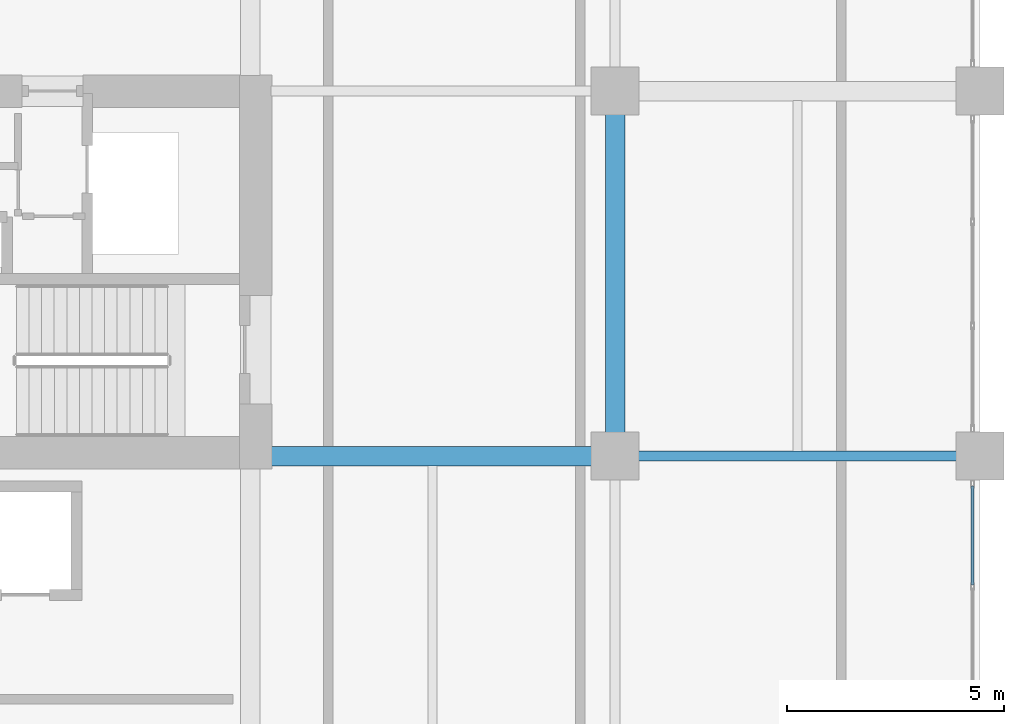
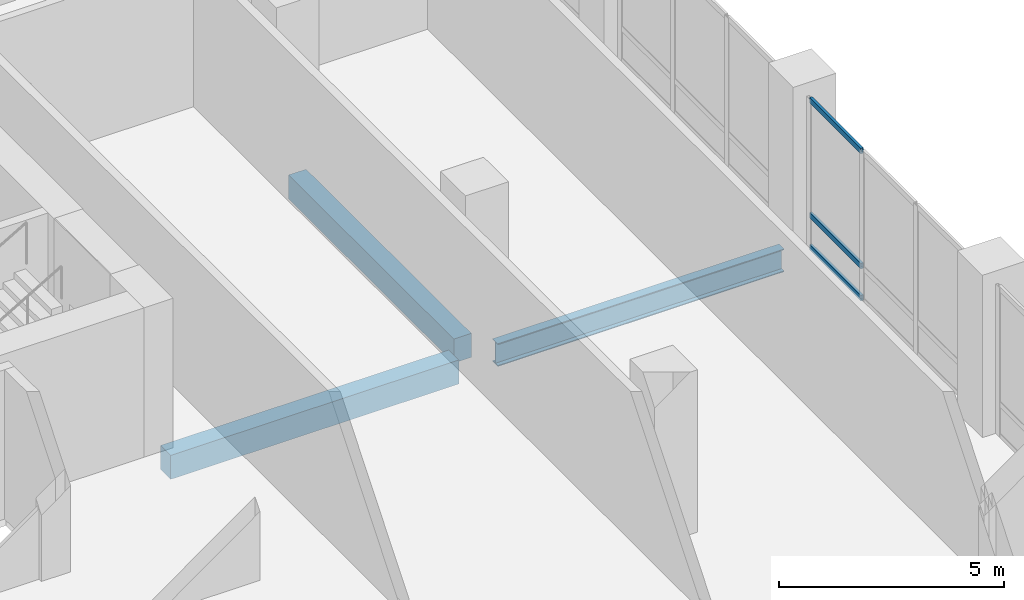
# One storey, part 5 of 25: 3 beams, 3 members, 1 element without a shape of its own.
"""IFC4 building model written with IfcOpenShell, lengths in metres."""

from ifc_helpers import new_model, si_unit, direction, frame, origin, origin_2d, place, context, subcontext, project, spatial, rectangle, hollow_rectangle, i_section, extrude, material, layer, layer_set, material_profile, profile_set, type_object, element, aggregate, save


model = new_model("IFC4")

# Units and contexts
model_context = context("Model", 3, precision=1e-05, world=origin(), true_north=direction((0.0, 1.0)))
body_context = subcontext(model_context, "Body", "Model", "MODEL_VIEW")
ifc_project = project(units=[si_unit("LENGTHUNIT", "METRE"), si_unit("AREAUNIT", "SQUARE_METRE"), si_unit("VOLUMEUNIT", "CUBIC_METRE"), si_unit("PLANEANGLEUNIT", "RADIAN"), si_unit("MASSUNIT", "GRAM", prefix="KILO")], contexts=[model_context])

# Site, building, storey
site_placement = place(None, origin())
site = spatial("IfcSite", under=ifc_project, at=site_placement, CompositionType="ELEMENT")
building_placement = place(site_placement, origin())
building = spatial("IfcBuilding", under=site, at=building_placement, Name="Koriwani Terraces Tower", CompositionType="ELEMENT")
storey_placement = place(building_placement, frame((0.0, 0.0, 157.60009765625)))
storey = spatial("IfcBuildingStorey", under=building, at=storey_placement, Name="L38", CompositionType="ELEMENT", Elevation=157.60009765625)

# Beams
ifc_material_1 = material(Name="Concrete C50/60", Category="concrete")
ifc_material_profile_1 = material_profile(ifc_material_1, rectangle(XDim=0.449951171875, YDim=0.64990234375, at=origin_2d()), Name="Concrete C50/60", Category="LoadBearing")
ifc_profile_set_1 = profile_set([ifc_material_profile_1], Name="Concrete C50/60")
beam_type_1 = type_object("IfcBeamType", Name="BEAM_RC_GRID_450X650", PredefinedType="BEAM", material=ifc_profile_set_1)
beam_1_placement = place(storey_placement, frame((59.280029296875, 16.800048828125, -0.5751953125), z_axis=(1.0, 0.0, 0.0), x_axis=(0.0, 1.0, 0.0)))
element("IfcBeam", 1, at=beam_1_placement, inside=storey, type_object=beam_type_1, Name="L38 Grid Beam C (58.8-67.2m)", PredefinedType="BEAM", context=body_context, shape_type="SweptSolid", body=[
    extrude(rectangle(XDim=0.449951171875, YDim=0.64990234375, at=origin_2d()), origin(), (0.0, 0.0, 1.0), 7.389892578125),
])
beam_2_placement = place(storey_placement, frame((67.199951171875, 17.330078125, -0.5751953125), z_axis=(0.0, 1.0, 0.0), x_axis=(-1.0, 0.0, 0.0)))
element("IfcBeam", 2, at=beam_2_placement, inside=storey, type_object=beam_type_1, Name="L38 Grid Beam 9 (16.8-25.2m)", PredefinedType="BEAM", context=body_context, shape_type="SweptSolid", body=[
    extrude(rectangle(XDim=0.449951171875, YDim=0.64990234375, at=origin_2d()), origin(), (0.0, 0.0, 1.0), 7.33984375),
])

# Curtain wall, members
ifc_material_2 = material(Name="Anodised Bronze Aluminium", Category="aluminium")
ifc_layer = layer(ifc_material_2, 0.169921875, Name="Anodised Bronze Aluminium")
ifc_layer_set = layer_set([ifc_layer], Name="Anodised Bronze Aluminium")
curtain_wall_type = type_object("IfcCurtainWallType", Name="CW_RES_ZONE3", PredefinedType="NOTDEFINED", material=ifc_layer_set)
curtain_wall_placement = place(storey_placement, origin())
curtain_wall = element("IfcCurtainWall", 3, at=curtain_wall_placement, inside=storey, type_object=curtain_wall_type, Name="L38 Unitised Curtain Wall (E_TIP) Bay 3", PredefinedType="NOTDEFINED")
ifc_material_profile_2 = material_profile(ifc_material_2, hollow_rectangle(XDim=0.06494140625, YDim=0.14990234375, WallThickness=0.0048828125, at=origin_2d()), Name="Anodised Bronze Aluminium", Category="LoadBearing")
ifc_profile_set_2 = profile_set([ifc_material_profile_2], Name="Anodised Bronze Aluminium")
member_type = type_object("IfcMemberType", Name="CW_TRANSOM_150X65", PredefinedType="USERDEFINED", material=ifc_profile_set_2)
member_1_placement = place(storey_placement, frame((75.425048828125, 16.114990234375, 0.032470703125), z_axis=(0.0, -1.0, 0.0), x_axis=(1.0, 0.0, 0.0)))
member_1 = element("IfcMember", 4, at=member_1_placement, type_object=member_type, Name="CW-Z3 transom 1.1", ObjectType="TRANSOM", PredefinedType="USERDEFINED", context=body_context, shape_type="SweptSolid", body=[
    extrude(hollow_rectangle(XDim=0.06494140625, YDim=0.14990234375, WallThickness=0.0048828125, at=origin_2d()), origin(), (0.0, 0.0, 1.0), 2.28076171875),
])
member_2_placement = place(storey_placement, frame((75.425048828125, 16.114990234375, 0.89990234375), z_axis=(0.0, -1.0, 0.0), x_axis=(1.0, 0.0, 0.0)))
member_2 = element("IfcMember", 5, at=member_2_placement, type_object=member_type, Name="CW-Z3 transom 1.2", ObjectType="TRANSOM", PredefinedType="USERDEFINED", context=body_context, shape_type="SweptSolid", body=[
    extrude(hollow_rectangle(XDim=0.06494140625, YDim=0.14990234375, WallThickness=0.0048828125, at=origin_2d()), origin(), (0.0, 0.0, 1.0), 2.28076171875),
])
member_3_placement = place(storey_placement, frame((75.425048828125, 16.114990234375, 4.017333984375), z_axis=(0.0, -1.0, 0.0), x_axis=(1.0, 0.0, 0.0)))
member_3 = element("IfcMember", 6, at=member_3_placement, type_object=member_type, Name="CW-Z3 transom 1.3", ObjectType="TRANSOM", PredefinedType="USERDEFINED", context=body_context, shape_type="SweptSolid", body=[
    extrude(hollow_rectangle(XDim=0.06494140625, YDim=0.14990234375, WallThickness=0.0048828125, at=origin_2d()), origin(), (0.0, 0.0, 1.0), 2.28076171875),
])
aggregate(curtain_wall, [member_1, member_2, member_3])

# Beam
ifc_material_3 = material(Name="Steel ASTM A572 Grade 50", Category="steel")
ifc_material_profile_3 = material_profile(ifc_material_3, i_section(OverallWidth=0.23095703125, OverallDepth=0.616943359375, WebThickness=0.015380859375, FlangeThickness=0.0244140625, at=origin_2d()), Name="Steel ASTM A572 Grade 50", Category="LoadBearing")
ifc_profile_set_3 = profile_set([ifc_material_profile_3], Name="Steel ASTM A572 Grade 50")
beam_type_2 = type_object("IfcBeamType", Name="STEEL_BEAM_W610X195", PredefinedType="BEAM", material=ifc_profile_set_3)
beam_3_placement = place(storey_placement, frame((67.72998046875, 16.800048828125, -0.55859375), z_axis=(1.0, 0.0, 0.0), x_axis=(0.0, 1.0, 0.0)))
element("IfcBeam", 7, at=beam_3_placement, inside=storey, type_object=beam_type_2, Name="L38 Grid Beam C (67.2-75.6m)", PredefinedType="BEAM", context=body_context, shape_type="SweptSolid", body=[
    extrude(i_section(OverallWidth=0.23095703125, OverallDepth=0.616943359375, WebThickness=0.015380859375, FlangeThickness=0.0244140625, at=origin_2d()), origin(), (0.0, 0.0, 1.0), 7.340087890625),
])

save(model, "model.ifc")
